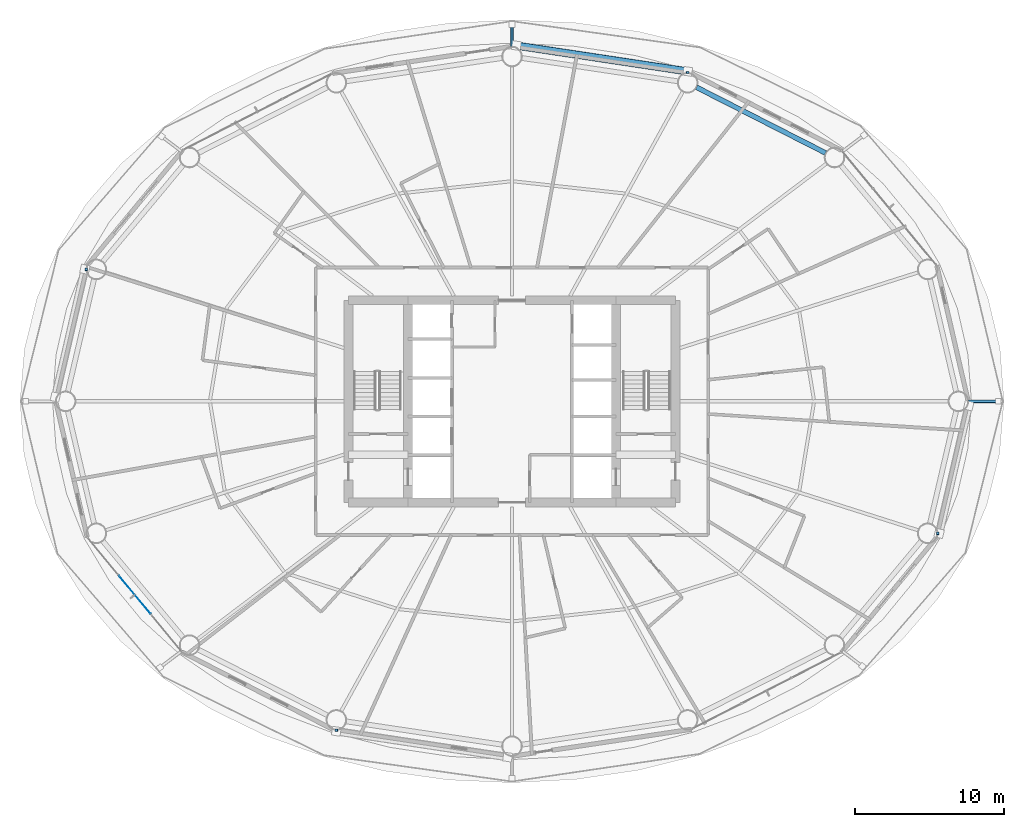
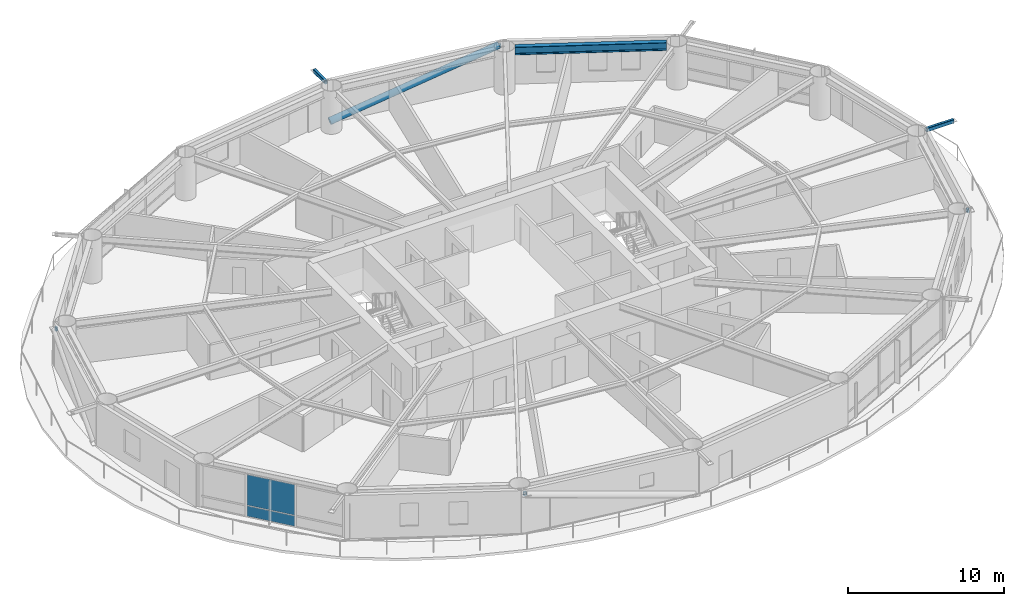
# One storey, part 15 of 26: 7 members, 2 plates, 1 beam, 1 element without a shape of its own.
"""IFC4 building model written with IfcOpenShell, lengths in metres."""

from ifc_helpers import new_model, si_unit, direction, frame, origin, origin_2d, place, context, subcontext, project, spatial, rectangle, hollow_rectangle, hollow_circle, i_section, extrude, material, layer, layer_set, material_profile, profile_set, type_object, element, aggregate, save


model = new_model("IFC4")

# Units and contexts
model_context = context("Model", 3, precision=1e-05, world=origin(), true_north=direction((0.0, 1.0)))
body_context = subcontext(model_context, "Body", "Model", "MODEL_VIEW")
ifc_project = project(units=[si_unit("LENGTHUNIT", "METRE"), si_unit("AREAUNIT", "SQUARE_METRE"), si_unit("VOLUMEUNIT", "CUBIC_METRE"), si_unit("PLANEANGLEUNIT", "RADIAN"), si_unit("MASSUNIT", "GRAM", prefix="KILO")], contexts=[model_context])

# Site, building, storey
site_placement = place(None, origin())
site = spatial("IfcSite", under=ifc_project, at=site_placement, CompositionType="ELEMENT")
building_placement = place(site_placement, origin())
building = spatial("IfcBuilding", under=site, at=building_placement, Name="Sarneth Arch Tower", CompositionType="ELEMENT")
storey_placement = place(building_placement, frame((0.0, 0.0, 49.800048828125)))
storey = spatial("IfcBuildingStorey", under=building, at=storey_placement, Name="L11", CompositionType="ELEMENT", Elevation=49.800048828125)

# Beam
ifc_material_1 = material(Name="Steel S355", Category="steel")
ifc_material_profile_1 = material_profile(ifc_material_1, i_section(OverallWidth=0.326904296875, OverallDepth=0.6220703125, WebThickness=0.015380859375, FlangeThickness=0.0244140625, FilletRadius=0.01904296875, at=origin_2d()), Name="W610x195")
ifc_profile_set_1 = profile_set([ifc_material_profile_1], Name="Steel S355")
beam_type = type_object("IfcBeamType", Name="BM-SPAN-610A", PredefinedType="SPANDREL", material=ifc_profile_set_1)
beam_placement = place(storey_placement, frame((69.09521484375, 58.711181640625, 3.06884765625), z_axis=(-0.8911738076, 0.453662037919, 0.0), x_axis=(-0.453662037919, -0.8911738076, 0.0)))
element("IfcBeam", 1, at=beam_placement, inside=storey, type_object=beam_type, Name="L11 Perimeter spandrel beam 03", PredefinedType="SPANDREL", context=body_context, shape_type="SweptSolid", body=[
    extrude(i_section(OverallWidth=0.326904296875, OverallDepth=0.6220703125, WebThickness=0.015380859375, FlangeThickness=0.0244140625, FilletRadius=0.01904296875, at=origin_2d()), origin(), (0.0, 0.0, 1.0), 9.735107421875),
])

# Members
ifc_material_2 = material(Name="Steel S355", Category="steel")
ifc_material_profile_2 = material_profile(ifc_material_2, hollow_rectangle(XDim=0.199951171875, YDim=0.300048828125, WallThickness=0.012451171875, InnerFilletRadius=0.018798828125, OuterFilletRadius=0.03125, at=origin_2d()), Name="RHS300x200x12.5")
ifc_profile_set_2 = profile_set([ifc_material_profile_2], Name="Steel S355")
member_type_1 = type_object("IfcMemberType", Name="MEM-CANT-STRUT", PredefinedType="STRUT", material=ifc_profile_set_2)
member_1_placement = place(storey_placement, frame((78.709716796875, 42.0, 3.219970703125), z_axis=(1.0, 0.0, 0.0), x_axis=(0.0, 1.0, 0.0)))
element("IfcMember", 2, at=member_1_placement, inside=storey, type_object=member_type_1, Name="L11 Balcony cantilever bracket 01", PredefinedType="STRUT", context=body_context, shape_type="SweptSolid", body=[
    extrude(hollow_rectangle(XDim=0.199951171875, YDim=0.300048828125, WallThickness=0.012451171875, InnerFilletRadius=0.018798828125, OuterFilletRadius=0.03125, at=origin_2d()), origin(), (0.0, 0.0, 1.0), 2.016845703125),
])
member_2_placement = place(storey_placement, frame((59.819091796875, 64.04150390625, 3.0068359375), z_axis=(0.003095960395, 0.999995207503, 0.0), x_axis=(-0.999995207503, 0.003095960395, 0.0)))
element("IfcMember", 3, at=member_2_placement, inside=storey, type_object=member_type_1, Name="L11 Exoskeleton brace node strut 04B", PredefinedType="STRUT", context=body_context, shape_type="SweptSolid", body=[
    extrude(hollow_rectangle(XDim=0.199951171875, YDim=0.300048828125, WallThickness=0.012451171875, InnerFilletRadius=0.018798828125, OuterFilletRadius=0.03125, at=origin_2d()), origin(), (0.0, 0.0, 1.0), 0.15771484375),
])
member_3_placement = place(storey_placement, frame((48.0, 65.875, 3.219970703125), z_axis=(0.0, 1.0, 0.0), x_axis=(-1.0, 0.0, 0.0)))
element("IfcMember", 4, at=member_3_placement, inside=storey, type_object=member_type_1, Name="L11 Balcony cantilever bracket 05", PredefinedType="STRUT", context=body_context, shape_type="SweptSolid", body=[
    extrude(hollow_rectangle(XDim=0.199951171875, YDim=0.300048828125, WallThickness=0.012451171875, InnerFilletRadius=0.018798828125, OuterFilletRadius=0.03125, at=origin_2d()), origin(), (0.0, 0.0, 1.0), 1.483154296875),
])
member_4_placement = place(storey_placement, frame((19.427001953125, 50.883056640625, 3.0068359375), z_axis=(-0.999961074937, 0.008823185955, 0.0), x_axis=(-0.008823185955, -0.999961074937, 0.0)))
element("IfcMember", 5, at=member_4_placement, inside=storey, type_object=member_type_1, Name="L11 Exoskeleton brace node strut 08B", PredefinedType="STRUT", context=body_context, shape_type="SweptSolid", body=[
    extrude(hollow_rectangle(XDim=0.199951171875, YDim=0.300048828125, WallThickness=0.012451171875, InnerFilletRadius=0.018798828125, OuterFilletRadius=0.03125, at=origin_2d()), origin(), (0.0, 0.0, 1.0), 0.166015625),
])
member_5_placement = place(storey_placement, frame((36.180908203125, 19.95849609375, 3.0068359375), z_axis=(-0.003095960395, -0.999995207503, 0.0), x_axis=(0.999995207503, -0.003095960395, 0.0)))
element("IfcMember", 6, at=member_5_placement, inside=storey, type_object=member_type_1, Name="L11 Exoskeleton brace node strut 12B", PredefinedType="STRUT", context=body_context, shape_type="SweptSolid", body=[
    extrude(hollow_rectangle(XDim=0.199951171875, YDim=0.300048828125, WallThickness=0.012451171875, InnerFilletRadius=0.018798828125, OuterFilletRadius=0.03125, at=origin_2d()), origin(), (0.0, 0.0, 1.0), 0.15771484375),
])
member_6_placement = place(storey_placement, frame((76.572998046875, 33.116943359375, 3.0068359375), z_axis=(0.999961074937, -0.008823185955, 0.0), x_axis=(0.008823185955, 0.999961074937, 0.0)))
element("IfcMember", 7, at=member_6_placement, inside=storey, type_object=member_type_1, Name="L11 Exoskeleton brace node strut 16B", PredefinedType="STRUT", context=body_context, shape_type="SweptSolid", body=[
    extrude(hollow_rectangle(XDim=0.199951171875, YDim=0.300048828125, WallThickness=0.012451171875, InnerFilletRadius=0.018798828125, OuterFilletRadius=0.03125, at=origin_2d()), origin(), (0.0, 0.0, 1.0), 0.166015625),
])
ifc_material_3 = material(Name="Steel S355", Category="steel")
ifc_material_profile_3 = material_profile(ifc_material_3, hollow_circle(Radius=0.25390625, WallThickness=0.01611328125, at=origin_2d()), Name="CHS508x16")
ifc_profile_set_3 = profile_set([ifc_material_profile_3], Name="Steel S355")
member_type_2 = type_object("IfcMemberType", Name="MEM-DIAG-BR1", PredefinedType="BRACE", material=ifc_profile_set_3)
member_7_placement = place(storey_placement, frame((48.296630859375, 65.935302734375, 0.02001953125), z_axis=(0.957875899759, -0.144316613483, 0.248287083301), x_axis=(0.1489817545, 0.988839944999, 0.0)))
element("IfcMember", 8, at=member_7_placement, inside=storey, type_object=member_type_2, Name="L11 Perimeter frame diagonal 04", PredefinedType="BRACE", context=body_context, shape_type="SweptSolid", body=[
    extrude(hollow_circle(Radius=0.25390625, WallThickness=0.01611328125, at=origin_2d()), origin(), (0.0, 0.0, 1.0), 12.02978515625),
])

# Curtain wall, plates
ifc_material_4 = material(Name="Anodised aluminium Type AA25 and solar-control low-e laminated IGU", Category="aluminium")
ifc_layer_1 = layer(ifc_material_4, 0.159912109375)
ifc_layer_set_1 = layer_set([ifc_layer_1], Name="Anodised aluminium Type AA25 and solar-control low-e laminated IGU")
curtain_wall_type = type_object("IfcCurtainWallType", Name="CW-HOTEL-LOW", PredefinedType="NOTDEFINED", material=ifc_layer_set_1)
curtain_wall_placement = place(storey_placement, origin())
curtain_wall = element("IfcCurtainWall", 9, at=curtain_wall_placement, inside=storey, type_object=curtain_wall_type, Name="L11 Unitised curtain wall facet 10", PredefinedType="NOTDEFINED")
ifc_material_5 = material(Name="Solar-control low-e laminated IGU", Category="glass")
ifc_layer_2 = layer(ifc_material_5, 0.028076171875)
ifc_layer_set_2 = layer_set([ifc_layer_2], Name="Solar-control low-e laminated IGU")
plate_type = type_object("IfcPlateType", Name="CW-PANEL", PredefinedType="CURTAIN_PANEL", material=ifc_layer_set_2)
plate_1_placement = place(storey_placement, frame((22.62255859375, 28.98779296875, 0.059814453125), z_axis=(0.0, 0.0, 1.0), x_axis=(0.637291340827, -0.770622960278, 0.0)))
plate_1 = element("IfcPlate", 10, at=plate_1_placement, type_object=plate_type, Name="Curtain wall glazed vision pane CW-L11-F10/P01-00", PredefinedType="CURTAIN_PANEL", context=body_context, shape_type="SweptSolid", body=[
    extrude(rectangle(XDim=3.291015625, YDim=0.028076171875, at=origin_2d()), origin(), (0.0, 0.0, 1.0), 0.81005859375),
])
plate_2_placement = place(storey_placement, frame((22.62255859375, 28.98779296875, 0.93017578125), z_axis=(0.0, 0.0, 1.0), x_axis=(0.637291340827, -0.770622960278, 0.0)))
plate_2 = element("IfcPlate", 11, at=plate_2_placement, type_object=plate_type, Name="Curtain wall glazed vision pane CW-L11-F10/P01-01", PredefinedType="CURTAIN_PANEL", context=body_context, shape_type="SweptSolid", body=[
    extrude(rectangle(XDim=3.291015625, YDim=0.028076171875, at=origin_2d()), origin(), (0.0, 0.0, 1.0), 2.389892578125),
])
aggregate(curtain_wall, [plate_1, plate_2])

save(model, "model.ifc")
